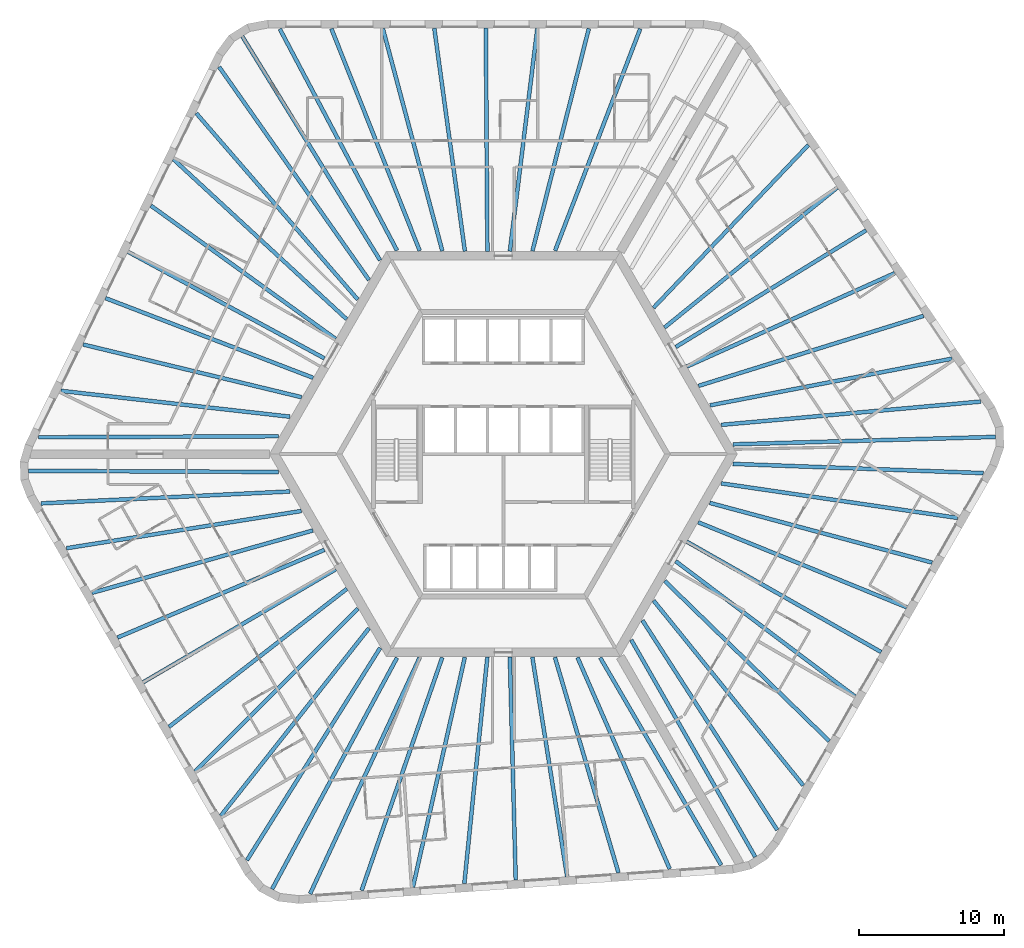
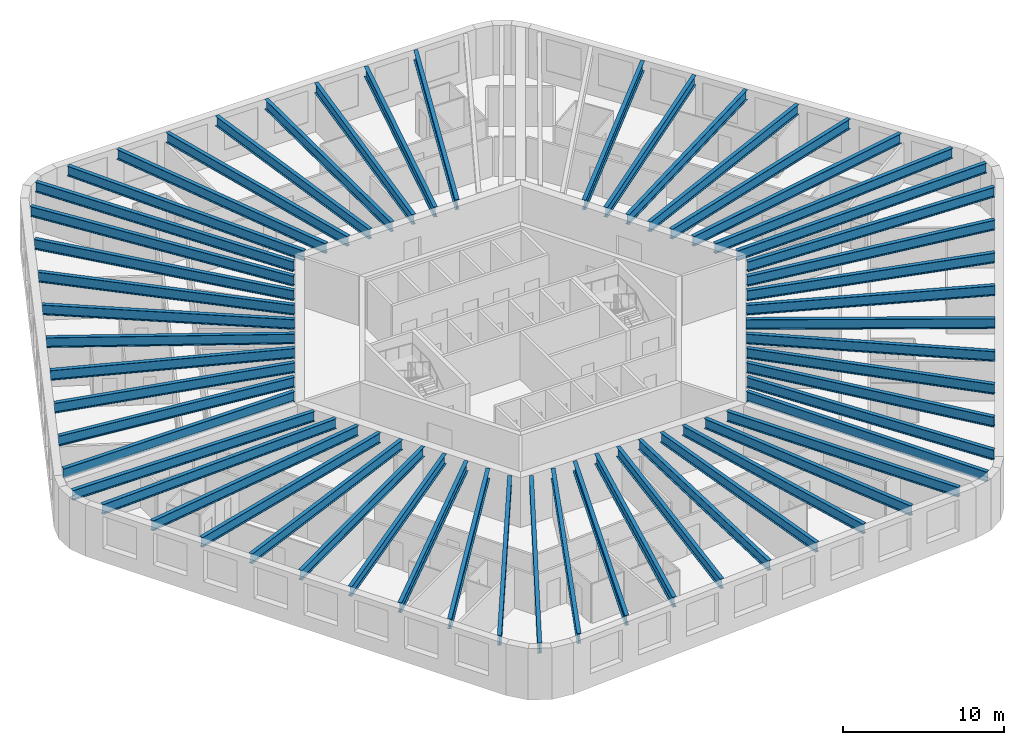
# One storey, part 1 of 12: 56 beams.
"""IFC4 building model written with IfcOpenShell, lengths in metres."""

from ifc_helpers import new_model, si_unit, direction, frame, origin, origin_2d, place, context, subcontext, project, spatial, i_section, extrude, material, material_profile, profile_set, type_object, element, save


model = new_model("IFC4")

# Units and contexts
model_context = context("Model", 3, precision=1e-05, world=origin(), true_north=direction((0.0, 1.0)))
body_context = subcontext(model_context, "Body", "Model", "MODEL_VIEW")
ifc_project = project(units=[si_unit("LENGTHUNIT", "METRE"), si_unit("AREAUNIT", "SQUARE_METRE"), si_unit("VOLUMEUNIT", "CUBIC_METRE"), si_unit("PLANEANGLEUNIT", "RADIAN"), si_unit("MASSUNIT", "GRAM", prefix="KILO")], contexts=[model_context])

# Site, building, storey
site_placement = place(None, origin())
site = spatial("IfcSite", under=ifc_project, at=site_placement, CompositionType="ELEMENT")
building_placement = place(site_placement, origin())
building = spatial("IfcBuilding", under=site, at=building_placement, Name="Tarnside Tower", CompositionType="ELEMENT")
storey_placement = place(building_placement, frame((0.0, 0.0, 84.300048828125)))
storey = spatial("IfcBuildingStorey", under=building, at=storey_placement, Name="L18", CompositionType="ELEMENT", Elevation=84.300048828125)

# Beams
ifc_material = material(Name="Steel S355", Category="steel")
ifc_material_profile_1 = material_profile(ifc_material, i_section(OverallWidth=0.26513671875, OverallDepth=0.75390625, WebThickness=0.0126953125, FlangeThickness=0.017578125, FilletRadius=0.0166015625, at=origin_2d()), Name="UB 762x267x147")
ifc_profile_set_1 = profile_set([ifc_material_profile_1], Name="Steel S355")
beam_type_1 = type_object("IfcBeamType", Name="Floor beam UB 762x267x147", PredefinedType="BEAM", material=ifc_profile_set_1)
beam_1_placement = place(storey_placement, frame((2.3525390625, 29.43017578125, 3.373046875), z_axis=(-0.122329629165, -0.992489527314, 0.0), x_axis=(0.992489527314, -0.122329629165, 0.0)))
element("IfcBeam", 1, at=beam_1_placement, inside=storey, type_object=beam_type_1, Name="Floor beam F1.04", PredefinedType="BEAM", context=body_context, shape_type="SweptSolid", body=[
    extrude(i_section(OverallWidth=0.26513671875, OverallDepth=0.75390625, WebThickness=0.0126953125, FlangeThickness=0.017578125, FilletRadius=0.0166015625, at=origin_2d()), origin(), (0.0, 0.0, 1.0), 15.527099609375),
])
beam_2_placement = place(storey_placement, frame((-1.208984375, 29.449951171875, 3.373046875), z_axis=(0.007000128723, -0.999975498799, 0.0), x_axis=(0.999975498799, 0.007000128723, 0.0)))
element("IfcBeam", 2, at=beam_2_placement, inside=storey, type_object=beam_type_1, Name="Floor beam F1.05", PredefinedType="BEAM", context=body_context, shape_type="SweptSolid", body=[
    extrude(i_section(OverallWidth=0.26513671875, OverallDepth=0.75390625, WebThickness=0.0126953125, FlangeThickness=0.017578125, FilletRadius=0.0166015625, at=origin_2d()), origin(), (0.0, 0.0, 1.0), 15.450439453125),
])
beam_3_placement = place(storey_placement, frame((-4.7705078125, 29.43017578125, 3.373046875), z_axis=(0.136000560933, -0.990708760144, 0.0), x_axis=(0.990708760144, 0.136000560933, 0.0)))
element("IfcBeam", 3, at=beam_3_placement, inside=storey, type_object=beam_type_1, Name="Floor beam F1.06", PredefinedType="BEAM", context=body_context, shape_type="SweptSolid", body=[
    extrude(i_section(OverallWidth=0.26513671875, OverallDepth=0.75390625, WebThickness=0.0126953125, FlangeThickness=0.017578125, FilletRadius=0.0166015625, at=origin_2d()), origin(), (0.0, 0.0, 1.0), 15.554931640625),
])
beam_4_placement = place(storey_placement, frame((-24.348876953125, 17.168212890625, 3.373046875), z_axis=(0.811027744825, -0.585007689799, 0.0), x_axis=(0.585007689799, 0.811027744825, 0.0)))
element("IfcBeam", 4, at=beam_4_placement, inside=storey, type_object=beam_type_1, Name="Floor beam F2.04", PredefinedType="BEAM", context=body_context, shape_type="SweptSolid", body=[
    extrude(i_section(OverallWidth=0.26513671875, OverallDepth=0.75390625, WebThickness=0.0126953125, FlangeThickness=0.017578125, FilletRadius=0.0166015625, at=origin_2d()), origin(), (0.0, 0.0, 1.0), 15.731689453125),
])
beam_5_placement = place(storey_placement, frame((-25.92626953125, 13.978271484375, 3.373046875), z_axis=(0.878894567679, -0.477016078245, 0.0), x_axis=(0.477016078245, 0.878894567679, 0.0)))
element("IfcBeam", 5, at=beam_5_placement, inside=storey, type_object=beam_type_1, Name="Floor beam F2.05", PredefinedType="BEAM", context=body_context, shape_type="SweptSolid", body=[
    extrude(i_section(OverallWidth=0.26513671875, OverallDepth=0.75390625, WebThickness=0.0126953125, FlangeThickness=0.017578125, FilletRadius=0.0166015625, at=origin_2d()), origin(), (0.0, 0.0, 1.0), 15.427490234375),
])
beam_6_placement = place(storey_placement, frame((-27.487548828125, 10.77734375, 3.373046875), z_axis=(0.933617702452, -0.358270827264, 0.0), x_axis=(0.358270827264, 0.933617702452, 0.0)))
element("IfcBeam", 6, at=beam_6_placement, inside=storey, type_object=beam_type_1, Name="Floor beam F2.06", PredefinedType="BEAM", context=body_context, shape_type="SweptSolid", body=[
    extrude(i_section(OverallWidth=0.26513671875, OverallDepth=0.75390625, WebThickness=0.0126953125, FlangeThickness=0.017578125, FilletRadius=0.0166015625, at=origin_2d()), origin(), (0.0, 0.0, 1.0), 15.363037109375),
])
beam_7_placement = place(storey_placement, frame((-29.029296875, 7.572509765625, 3.373046875), z_axis=(0.972101750991, -0.234559556873, 0.0), x_axis=(0.234559556873, 0.972101750991, 0.0)))
element("IfcBeam", 7, at=beam_7_placement, inside=storey, type_object=beam_type_1, Name="Floor beam F2.07", PredefinedType="BEAM", context=body_context, shape_type="SweptSolid", body=[
    extrude(i_section(OverallWidth=0.26513671875, OverallDepth=0.75390625, WebThickness=0.0126953125, FlangeThickness=0.017578125, FilletRadius=0.0166015625, at=origin_2d()), origin(), (0.0, 0.0, 1.0), 15.522216796875),
])
beam_8_placement = place(storey_placement, frame((-26.66357421875, -12.677734375, 3.373046875), z_axis=(0.920684021494, 0.390308765679, 0.0), x_axis=(-0.390308765679, 0.920684021494, 0.0)))
element("IfcBeam", 8, at=beam_8_placement, inside=storey, type_object=beam_type_1, Name="Floor beam F3.04", PredefinedType="BEAM", context=body_context, shape_type="SweptSolid", body=[
    extrude(i_section(OverallWidth=0.26513671875, OverallDepth=0.75390625, WebThickness=0.0126953125, FlangeThickness=0.017578125, FilletRadius=0.0166015625, at=origin_2d()), origin(), (0.0, 0.0, 1.0), 15.52685546875),
])
beam_9_placement = place(storey_placement, frame((-24.89990234375, -15.772216796875, 3.373046875), z_axis=(0.862497502004, 0.506061319443, 0.0), x_axis=(-0.506061319443, 0.862497502004, 0.0)))
element("IfcBeam", 9, at=beam_9_placement, inside=storey, type_object=beam_type_1, Name="Floor beam F3.05", PredefinedType="BEAM", context=body_context, shape_type="SweptSolid", body=[
    extrude(i_section(OverallWidth=0.26513671875, OverallDepth=0.75390625, WebThickness=0.0126953125, FlangeThickness=0.017578125, FilletRadius=0.0166015625, at=origin_2d()), origin(), (0.0, 0.0, 1.0), 15.450439453125),
])
beam_10_placement = place(storey_placement, frame((-23.10205078125, -18.846435546875, 3.373046875), z_axis=(0.789983963813, 0.613127504617, 0.0), x_axis=(-0.613127504617, 0.789983963813, 0.0)))
element("IfcBeam", 10, at=beam_10_placement, inside=storey, type_object=beam_type_1, Name="Floor beam F3.06", PredefinedType="BEAM", context=body_context, shape_type="SweptSolid", body=[
    extrude(i_section(OverallWidth=0.26513671875, OverallDepth=0.75390625, WebThickness=0.0126953125, FlangeThickness=0.017578125, FilletRadius=0.0166015625, at=origin_2d()), origin(), (0.0, 0.0, 1.0), 15.554931640625),
])
beam_11_placement = place(storey_placement, frame((-2.693603515625, -29.6708984375, 3.373046875), z_axis=(0.101123115756, 0.994873919379, 0.0), x_axis=(-0.994873919379, 0.101123115756, 0.0)))
element("IfcBeam", 11, at=beam_11_placement, inside=storey, type_object=beam_type_1, Name="Floor beam F4.04", PredefinedType="BEAM", context=body_context, shape_type="SweptSolid", body=[
    extrude(i_section(OverallWidth=0.26513671875, OverallDepth=0.75390625, WebThickness=0.0126953125, FlangeThickness=0.017578125, FilletRadius=0.0166015625, at=origin_2d()), origin(), (0.0, 0.0, 1.0), 15.7314453125),
])
beam_12_placement = place(storey_placement, frame((0.857666015625, -29.44189453125, 3.373046875), z_axis=(-0.026333316788, 0.999653218085, 0.0), x_axis=(-0.999653218085, -0.026333316788, 0.0)))
element("IfcBeam", 12, at=beam_12_placement, inside=storey, type_object=beam_type_1, Name="Floor beam F4.05", PredefinedType="BEAM", context=body_context, shape_type="SweptSolid", body=[
    extrude(i_section(OverallWidth=0.26513671875, OverallDepth=0.75390625, WebThickness=0.0126953125, FlangeThickness=0.017578125, FilletRadius=0.0166015625, at=origin_2d()), origin(), (0.0, 0.0, 1.0), 15.42724609375),
])
beam_13_placement = place(storey_placement, frame((4.41015625, -29.193603515625, 3.373046875), z_axis=(-0.156513375907, 0.98767583911, 0.0), x_axis=(-0.98767583911, -0.156513375907, 0.0)))
element("IfcBeam", 13, at=beam_13_placement, inside=storey, type_object=beam_type_1, Name="Floor beam F4.06", PredefinedType="BEAM", context=body_context, shape_type="SweptSolid", body=[
    extrude(i_section(OverallWidth=0.26513671875, OverallDepth=0.75390625, WebThickness=0.0126953125, FlangeThickness=0.017578125, FilletRadius=0.0166015625, at=origin_2d()), origin(), (0.0, 0.0, 1.0), 15.36328125),
])
beam_14_placement = place(storey_placement, frame((7.956787109375, -28.926513671875, 3.373046875), z_axis=(-0.282920694328, 0.959143305623, 0.0), x_axis=(-0.959143305623, -0.282920694328, 0.0)))
element("IfcBeam", 14, at=beam_14_placement, inside=storey, type_object=beam_type_1, Name="Floor beam F4.07", PredefinedType="BEAM", context=body_context, shape_type="SweptSolid", body=[
    extrude(i_section(OverallWidth=0.26513671875, OverallDepth=0.75390625, WebThickness=0.0126953125, FlangeThickness=0.017578125, FilletRadius=0.0166015625, at=origin_2d()), origin(), (0.0, 0.0, 1.0), 15.5224609375),
])
beam_15_placement = place(storey_placement, frame((24.31103515625, -16.75244140625, 3.373046875), z_axis=(-0.798361152727, 0.602178935049, 0.0), x_axis=(-0.602178935049, -0.798361152727, 0.0)))
element("IfcBeam", 15, at=beam_15_placement, inside=storey, type_object=beam_type_1, Name="Floor beam F5.04", PredefinedType="BEAM", context=body_context, shape_type="SweptSolid", body=[
    extrude(i_section(OverallWidth=0.26513671875, OverallDepth=0.75390625, WebThickness=0.0126953125, FlangeThickness=0.017578125, FilletRadius=0.0166015625, at=origin_2d()), origin(), (0.0, 0.0, 1.0), 15.527099609375),
])
beam_16_placement = place(storey_placement, frame((26.10888671875, -13.677978515625, 3.373046875), z_axis=(-0.869502520992, 0.493928502911, 0.0), x_axis=(-0.493928502911, -0.869502520992, 0.0)))
element("IfcBeam", 16, at=beam_16_placement, inside=storey, type_object=beam_type_1, Name="Floor beam F5.05", PredefinedType="BEAM", context=body_context, shape_type="SweptSolid", body=[
    extrude(i_section(OverallWidth=0.26513671875, OverallDepth=0.75390625, WebThickness=0.0126953125, FlangeThickness=0.017578125, FilletRadius=0.0166015625, at=origin_2d()), origin(), (0.0, 0.0, 1.0), 15.4501953125),
])
beam_17_placement = place(storey_placement, frame((27.87255859375, -10.58349609375, 3.373046875), z_axis=(-0.925981621163, 0.377568586177, 0.0), x_axis=(-0.377568586177, -0.925981621163, 0.0)))
element("IfcBeam", 17, at=beam_17_placement, inside=storey, type_object=beam_type_1, Name="Floor beam F5.06", PredefinedType="BEAM", context=body_context, shape_type="SweptSolid", body=[
    extrude(i_section(OverallWidth=0.26513671875, OverallDepth=0.75390625, WebThickness=0.0126953125, FlangeThickness=0.017578125, FilletRadius=0.0166015625, at=origin_2d()), origin(), (0.0, 0.0, 1.0), 15.554931640625),
])
beam_18_placement = place(storey_placement, frame((27.04248046875, 12.502685546875, 3.373046875), z_axis=(-0.912146413919, -0.409864513681, 0.0), x_axis=(0.409864513681, -0.912146413919, 0.0)))
element("IfcBeam", 18, at=beam_18_placement, inside=storey, type_object=beam_type_1, Name="Floor beam F6.04", PredefinedType="BEAM", context=body_context, shape_type="SweptSolid", body=[
    extrude(i_section(OverallWidth=0.26513671875, OverallDepth=0.75390625, WebThickness=0.0126953125, FlangeThickness=0.017578125, FilletRadius=0.0166015625, at=origin_2d()), origin(), (0.0, 0.0, 1.0), 15.7314453125),
])
beam_19_placement = place(storey_placement, frame((25.068603515625, 15.463623046875, 3.373046875), z_axis=(-0.852558490017, -0.522631821744, 0.0), x_axis=(0.522631821744, -0.852558490017, 0.0)))
element("IfcBeam", 19, at=beam_19_placement, inside=storey, type_object=beam_type_1, Name="Floor beam F6.05", PredefinedType="BEAM", context=body_context, shape_type="SweptSolid", body=[
    extrude(i_section(OverallWidth=0.26513671875, OverallDepth=0.75390625, WebThickness=0.0126953125, FlangeThickness=0.017578125, FilletRadius=0.0166015625, at=origin_2d()), origin(), (0.0, 0.0, 1.0), 15.42724609375),
])
beam_20_placement = place(storey_placement, frame((23.0771484375, 18.416259765625, 3.373046875), z_axis=(-0.777079423039, -0.629402550272, 0.0), x_axis=(0.629402550272, -0.777079423039, 0.0)))
element("IfcBeam", 20, at=beam_20_placement, inside=storey, type_object=beam_type_1, Name="Floor beam F6.06", PredefinedType="BEAM", context=body_context, shape_type="SweptSolid", body=[
    extrude(i_section(OverallWidth=0.26513671875, OverallDepth=0.75390625, WebThickness=0.0126953125, FlangeThickness=0.017578125, FilletRadius=0.0166015625, at=origin_2d()), origin(), (0.0, 0.0, 1.0), 15.36328125),
])
beam_21_placement = place(storey_placement, frame((21.072509765625, 21.35400390625, 3.373046875), z_axis=(-0.689174694318, -0.724595225427, 0.0), x_axis=(0.724595225427, -0.689174694318, 0.0)))
element("IfcBeam", 21, at=beam_21_placement, inside=storey, type_object=beam_type_1, Name="Floor beam F6.07", PredefinedType="BEAM", context=body_context, shape_type="SweptSolid", body=[
    extrude(i_section(OverallWidth=0.26513671875, OverallDepth=0.75390625, WebThickness=0.0126953125, FlangeThickness=0.017578125, FilletRadius=0.0166015625, at=origin_2d()), origin(), (0.0, 0.0, 1.0), 15.522216796875),
])
ifc_material_profile_2 = material_profile(ifc_material, i_section(OverallWidth=0.2666015625, OverallDepth=0.76220703125, WebThickness=0.014404296875, FlangeThickness=0.021484375, FilletRadius=0.0166015625, at=origin_2d()), Name="UB 762x267x173")
ifc_profile_set_2 = profile_set([ifc_material_profile_2], Name="Steel S355")
beam_type_2 = type_object("IfcBeamType", Name="Floor beam UB 762x267x173", PredefinedType="BEAM", material=ifc_profile_set_2)
beam_22_placement = place(storey_placement, frame((9.4619140625, 29.39404296875, 3.368896484375), z_axis=(-0.358299847269, -0.933606565662, 0.0), x_axis=(0.933606565662, -0.358299847269, 0.0)))
element("IfcBeam", 22, at=beam_22_placement, inside=storey, type_object=beam_type_2, Name="Floor beam F1.02", PredefinedType="BEAM", context=body_context, shape_type="SweptSolid", body=[
    extrude(i_section(OverallWidth=0.2666015625, OverallDepth=0.76220703125, WebThickness=0.014404296875, FlangeThickness=0.021484375, FilletRadius=0.0166015625, at=origin_2d()), origin(), (0.0, 0.0, 1.0), 16.428955078125),
])
beam_23_placement = place(storey_placement, frame((5.909423828125, 29.4111328125, 3.368896484375), z_axis=(-0.245747281389, -0.969333933013, 0.0), x_axis=(0.969333933013, -0.245747281389, 0.0)))
element("IfcBeam", 23, at=beam_23_placement, inside=storey, type_object=beam_type_2, Name="Floor beam F1.03", PredefinedType="BEAM", context=body_context, shape_type="SweptSolid", body=[
    extrude(i_section(OverallWidth=0.2666015625, OverallDepth=0.76220703125, WebThickness=0.014404296875, FlangeThickness=0.021484375, FilletRadius=0.0166015625, at=origin_2d()), origin(), (0.0, 0.0, 1.0), 15.858642578125),
])
beam_24_placement = place(storey_placement, frame((-8.3271484375, 29.411376953125, 3.368896484375), z_axis=(0.258447478572, -0.966025310652, 0.0), x_axis=(0.966025310652, 0.258447478572, 0.0)))
element("IfcBeam", 24, at=beam_24_placement, inside=storey, type_object=beam_type_2, Name="Floor beam F1.07", PredefinedType="BEAM", context=body_context, shape_type="SweptSolid", body=[
    extrude(i_section(OverallWidth=0.2666015625, OverallDepth=0.76220703125, WebThickness=0.014404296875, FlangeThickness=0.021484375, FilletRadius=0.0166015625, at=origin_2d()), origin(), (0.0, 0.0, 1.0), 15.91357421875),
])
beam_25_placement = place(storey_placement, frame((-11.87939453125, 29.394287109375, 3.368896484375), z_axis=(0.369638204477, -0.929175762593, 0.0), x_axis=(0.929175762593, 0.369638204477, 0.0)))
element("IfcBeam", 25, at=beam_25_placement, inside=storey, type_object=beam_type_2, Name="Floor beam F1.08", PredefinedType="BEAM", context=body_context, shape_type="SweptSolid", body=[
    extrude(i_section(OverallWidth=0.2666015625, OverallDepth=0.76220703125, WebThickness=0.014404296875, FlangeThickness=0.021484375, FilletRadius=0.0166015625, at=origin_2d()), origin(), (0.0, 0.0, 1.0), 16.507568359375),
])
beam_26_placement = place(storey_placement, frame((-15.44580078125, 29.37939453125, 3.368896484375), z_axis=(0.467741993634, -0.883865050441, 0.0), x_axis=(0.883865050441, 0.467741993634, 0.0)))
element("IfcBeam", 26, at=beam_26_placement, inside=storey, type_object=beam_type_2, Name="Floor beam F1.09", PredefinedType="BEAM", context=body_context, shape_type="SweptSolid", body=[
    extrude(i_section(OverallWidth=0.2666015625, OverallDepth=0.76220703125, WebThickness=0.014404296875, FlangeThickness=0.021484375, FilletRadius=0.0166015625, at=origin_2d()), origin(), (0.0, 0.0, 1.0), 17.320068359375),
])
beam_27_placement = place(storey_placement, frame((-18.042236328125, 28.8701171875, 3.368896484375), z_axis=(0.524382977035, -0.851482526771, 0.0), x_axis=(0.851482526771, 0.524382977035, 0.0)))
element("IfcBeam", 27, at=beam_27_placement, inside=storey, type_object=beam_type_2, Name="Floor beam C1", PredefinedType="BEAM", context=body_context, shape_type="SweptSolid", body=[
    extrude(i_section(OverallWidth=0.2666015625, OverallDepth=0.76220703125, WebThickness=0.014404296875, FlangeThickness=0.021484375, FilletRadius=0.0166015625, at=origin_2d()), origin(), (0.0, 0.0, 1.0), 18.1728515625),
])
beam_28_placement = place(storey_placement, frame((-19.638671875, 26.75537109375, 3.368896484375), z_axis=(0.575411427849, -0.817864101609, 0.0), x_axis=(0.817864101609, 0.575411427849, 0.0)))
element("IfcBeam", 28, at=beam_28_placement, inside=storey, type_object=beam_type_2, Name="Floor beam F2.01", PredefinedType="BEAM", context=body_context, shape_type="SweptSolid", body=[
    extrude(i_section(OverallWidth=0.2666015625, OverallDepth=0.76220703125, WebThickness=0.014404296875, FlangeThickness=0.021484375, FilletRadius=0.0166015625, at=origin_2d()), origin(), (0.0, 0.0, 1.0), 18.00048828125),
])
beam_29_placement = place(storey_placement, frame((-21.21630859375, 23.554931640625, 3.368896484375), z_axis=(0.654980748073, -0.755645564834, 0.0), x_axis=(0.755645564834, 0.654980748073, 0.0)))
element("IfcBeam", 29, at=beam_29_placement, inside=storey, type_object=beam_type_2, Name="Floor beam F2.02", PredefinedType="BEAM", context=body_context, shape_type="SweptSolid", body=[
    extrude(i_section(OverallWidth=0.2666015625, OverallDepth=0.76220703125, WebThickness=0.014404296875, FlangeThickness=0.021484375, FilletRadius=0.0166015625, at=origin_2d()), origin(), (0.0, 0.0, 1.0), 17.0302734375),
])
beam_30_placement = place(storey_placement, frame((-22.7890625, 20.368408203125, 3.368896484375), z_axis=(0.734715474517, -0.678375391288, 0.0), x_axis=(0.678375391288, 0.734715474517, 0.0)))
element("IfcBeam", 30, at=beam_30_placement, inside=storey, type_object=beam_type_2, Name="Floor beam F2.03", PredefinedType="BEAM", context=body_context, shape_type="SweptSolid", body=[
    extrude(i_section(OverallWidth=0.2666015625, OverallDepth=0.76220703125, WebThickness=0.014404296875, FlangeThickness=0.021484375, FilletRadius=0.0166015625, at=origin_2d()), origin(), (0.0, 0.0, 1.0), 16.2802734375),
])
beam_31_placement = place(storey_placement, frame((-30.570556640625, 4.372802734375, 3.368896484375), z_axis=(0.993687302776, -0.112185312326, 0.0), x_axis=(0.112185312326, 0.993687302776, 0.0)))
element("IfcBeam", 31, at=beam_31_placement, inside=storey, type_object=beam_type_2, Name="Floor beam F2.08", PredefinedType="BEAM", context=body_context, shape_type="SweptSolid", body=[
    extrude(i_section(OverallWidth=0.2666015625, OverallDepth=0.76220703125, WebThickness=0.014404296875, FlangeThickness=0.021484375, FilletRadius=0.0166015625, at=origin_2d()), origin(), (0.0, 0.0, 1.0), 15.934326171875),
])
beam_32_placement = place(storey_placement, frame((-32.119384765625, 1.162109375, 3.368896484375), z_axis=(0.999990508787, 0.004356872304, 0.0), x_axis=(-0.004356872304, 0.999990508787, 0.0)))
element("IfcBeam", 32, at=beam_32_placement, inside=storey, type_object=beam_type_2, Name="Floor beam F2.09", PredefinedType="BEAM", context=body_context, shape_type="SweptSolid", body=[
    extrude(i_section(OverallWidth=0.2666015625, OverallDepth=0.76220703125, WebThickness=0.014404296875, FlangeThickness=0.021484375, FilletRadius=0.0166015625, at=origin_2d()), origin(), (0.0, 0.0, 1.0), 16.586669921875),
])
beam_33_placement = place(storey_placement, frame((-32.80712890625, -1.1572265625, 3.368896484375), z_axis=(0.999990027056, -0.004466070929, 0.0), x_axis=(0.004466070929, 0.999990027056, 0.0)))
element("IfcBeam", 33, at=beam_33_placement, inside=storey, type_object=beam_type_2, Name="Floor beam C2", PredefinedType="BEAM", context=body_context, shape_type="SweptSolid", body=[
    extrude(i_section(OverallWidth=0.2666015625, OverallDepth=0.76220703125, WebThickness=0.014404296875, FlangeThickness=0.021484375, FilletRadius=0.0166015625, at=origin_2d()), origin(), (0.0, 0.0, 1.0), 17.2744140625),
])
beam_34_placement = place(storey_placement, frame((-31.95703125, -3.406494140625, 3.368896484375), z_axis=(0.998853818522, 0.047864905982, 0.0), x_axis=(-0.047864905982, 0.998853818522, 0.0)))
element("IfcBeam", 34, at=beam_34_placement, inside=storey, type_object=beam_type_2, Name="Floor beam F3.01", PredefinedType="BEAM", context=body_context, shape_type="SweptSolid", body=[
    extrude(i_section(OverallWidth=0.2666015625, OverallDepth=0.76220703125, WebThickness=0.014404296875, FlangeThickness=0.021484375, FilletRadius=0.0166015625, at=origin_2d()), origin(), (0.0, 0.0, 1.0), 17.2197265625),
])
beam_35_placement = place(storey_placement, frame((-30.18701171875, -6.502685546875, 3.368896484375), z_axis=(0.987678477078, 0.156496728136, 0.0), x_axis=(-0.156496728136, 0.987678477078, 0.0)))
element("IfcBeam", 35, at=beam_35_placement, inside=storey, type_object=beam_type_2, Name="Floor beam F3.02", PredefinedType="BEAM", context=body_context, shape_type="SweptSolid", body=[
    extrude(i_section(OverallWidth=0.2666015625, OverallDepth=0.76220703125, WebThickness=0.014404296875, FlangeThickness=0.021484375, FilletRadius=0.0166015625, at=origin_2d()), origin(), (0.0, 0.0, 1.0), 16.4287109375),
])
beam_36_placement = place(storey_placement, frame((-28.425537109375, -9.587890625, 3.368896484375), z_axis=(0.962342240503, 0.271840784547, 0.0), x_axis=(-0.271840784547, 0.962342240503, 0.0)))
element("IfcBeam", 36, at=beam_36_placement, inside=storey, type_object=beam_type_2, Name="Floor beam F3.03", PredefinedType="BEAM", context=body_context, shape_type="SweptSolid", body=[
    extrude(i_section(OverallWidth=0.2666015625, OverallDepth=0.76220703125, WebThickness=0.014404296875, FlangeThickness=0.021484375, FilletRadius=0.0166015625, at=origin_2d()), origin(), (0.0, 0.0, 1.0), 15.858642578125),
])
beam_37_placement = place(storey_placement, frame((-21.307373046875, -21.917236328125, 3.368896484375), z_axis=(0.707367544857, 0.706845921318, 0.0), x_axis=(-0.706845921318, 0.707367544857, 0.0)))
element("IfcBeam", 37, at=beam_37_placement, inside=storey, type_object=beam_type_2, Name="Floor beam F3.07", PredefinedType="BEAM", context=body_context, shape_type="SweptSolid", body=[
    extrude(i_section(OverallWidth=0.2666015625, OverallDepth=0.76220703125, WebThickness=0.014404296875, FlangeThickness=0.021484375, FilletRadius=0.0166015625, at=origin_2d()), origin(), (0.0, 0.0, 1.0), 15.913330078125),
])
beam_38_placement = place(storey_placement, frame((-19.516357421875, -24.985107421875, 3.368896484375), z_axis=(0.619872995007, 0.784702153725, 0.0), x_axis=(-0.784702153725, 0.619872995007, 0.0)))
element("IfcBeam", 38, at=beam_38_placement, inside=storey, type_object=beam_type_2, Name="Floor beam F3.08", PredefinedType="BEAM", context=body_context, shape_type="SweptSolid", body=[
    extrude(i_section(OverallWidth=0.2666015625, OverallDepth=0.76220703125, WebThickness=0.014404296875, FlangeThickness=0.021484375, FilletRadius=0.0166015625, at=origin_2d()), origin(), (0.0, 0.0, 1.0), 16.507568359375),
])
beam_39_placement = place(storey_placement, frame((-17.72021484375, -28.066162109375, 3.368896484375), z_axis=(0.531583085704, 0.847006152866, 0.0), x_axis=(-0.847006152866, 0.531583085704, 0.0)))
element("IfcBeam", 39, at=beam_39_placement, inside=storey, type_object=beam_type_2, Name="Floor beam F3.09", PredefinedType="BEAM", context=body_context, shape_type="SweptSolid", body=[
    extrude(i_section(OverallWidth=0.2666015625, OverallDepth=0.76220703125, WebThickness=0.014404296875, FlangeThickness=0.021484375, FilletRadius=0.0166015625, at=origin_2d()), origin(), (0.0, 0.0, 1.0), 17.320068359375),
])
beam_40_placement = place(storey_placement, frame((-15.981201171875, -30.060302734375, 3.368896484375), z_axis=(0.475208200571, 0.879873380726, 0.0), x_axis=(-0.879873380726, 0.475208200571, 0.0)))
element("IfcBeam", 40, at=beam_40_placement, inside=storey, type_object=beam_type_2, Name="Floor beam C3", PredefinedType="BEAM", context=body_context, shape_type="SweptSolid", body=[
    extrude(i_section(OverallWidth=0.2666015625, OverallDepth=0.76220703125, WebThickness=0.014404296875, FlangeThickness=0.021484375, FilletRadius=0.0166015625, at=origin_2d()), origin(), (0.0, 0.0, 1.0), 18.173095703125),
])
beam_41_placement = place(storey_placement, frame((-13.3515625, -30.38525390625, 3.368896484375), z_axis=(0.42059199668, 0.907249895193, 0.0), x_axis=(-0.907249895193, 0.42059199668, 0.0)))
element("IfcBeam", 41, at=beam_41_placement, inside=storey, type_object=beam_type_2, Name="Floor beam F4.01", PredefinedType="BEAM", context=body_context, shape_type="SweptSolid", body=[
    extrude(i_section(OverallWidth=0.2666015625, OverallDepth=0.76220703125, WebThickness=0.014404296875, FlangeThickness=0.021484375, FilletRadius=0.0166015625, at=origin_2d()), origin(), (0.0, 0.0, 1.0), 18.000244140625),
])
beam_42_placement = place(storey_placement, frame((-9.791015625, -30.151123046875, 3.368896484375), z_axis=(0.326912128872, 0.945054739153, 0.0), x_axis=(-0.945054739153, 0.326912128872, 0.0)))
element("IfcBeam", 42, at=beam_42_placement, inside=storey, type_object=beam_type_2, Name="Floor beam F4.02", PredefinedType="BEAM", context=body_context, shape_type="SweptSolid", body=[
    extrude(i_section(OverallWidth=0.2666015625, OverallDepth=0.76220703125, WebThickness=0.014404296875, FlangeThickness=0.021484375, FilletRadius=0.0166015625, at=origin_2d()), origin(), (0.0, 0.0, 1.0), 17.0302734375),
])
beam_43_placement = place(storey_placement, frame((-6.2451171875, -29.920166015625, 3.368896484375), z_axis=(0.220139818673, 0.975468328668, 0.0), x_axis=(-0.975468328668, 0.220139818673, 0.0)))
element("IfcBeam", 43, at=beam_43_placement, inside=storey, type_object=beam_type_2, Name="Floor beam F4.03", PredefinedType="BEAM", context=body_context, shape_type="SweptSolid", body=[
    extrude(i_section(OverallWidth=0.2666015625, OverallDepth=0.76220703125, WebThickness=0.014404296875, FlangeThickness=0.021484375, FilletRadius=0.0166015625, at=origin_2d()), origin(), (0.0, 0.0, 1.0), 16.280517578125),
])
beam_44_placement = place(storey_placement, frame((11.498291015625, -28.6611328125, 3.368896484375), z_axis=(-0.399695682658, 0.916647893831, 0.0), x_axis=(-0.916647893831, -0.399695682658, 0.0)))
element("IfcBeam", 44, at=beam_44_placement, inside=storey, type_object=beam_type_2, Name="Floor beam F4.08", PredefinedType="BEAM", context=body_context, shape_type="SweptSolid", body=[
    extrude(i_section(OverallWidth=0.2666015625, OverallDepth=0.76220703125, WebThickness=0.014404296875, FlangeThickness=0.021484375, FilletRadius=0.0166015625, at=origin_2d()), origin(), (0.0, 0.0, 1.0), 15.934326171875),
])
beam_45_placement = place(storey_placement, frame((15.05322265625, -28.3974609375, 3.368896484375), z_axis=(-0.503758455062, 0.86384455717, 0.0), x_axis=(-0.86384455717, -0.503758455062, 0.0)))
element("IfcBeam", 45, at=beam_45_placement, inside=storey, type_object=beam_type_2, Name="Floor beam F4.09", PredefinedType="BEAM", context=body_context, shape_type="SweptSolid", body=[
    extrude(i_section(OverallWidth=0.2666015625, OverallDepth=0.76220703125, WebThickness=0.014404296875, FlangeThickness=0.021484375, FilletRadius=0.0166015625, at=origin_2d()), origin(), (0.0, 0.0, 1.0), 16.586669921875),
])
beam_46_placement = place(storey_placement, frame((17.40576171875, -27.833251953125, 3.368896484375), z_axis=(-0.496126762138, 0.868250099851, 0.0), x_axis=(-0.868250099851, -0.496126762138, 0.0)))
element("IfcBeam", 46, at=beam_46_placement, inside=storey, type_object=beam_type_2, Name="Floor beam C4", PredefinedType="BEAM", context=body_context, shape_type="SweptSolid", body=[
    extrude(i_section(OverallWidth=0.2666015625, OverallDepth=0.76220703125, WebThickness=0.014404296875, FlangeThickness=0.021484375, FilletRadius=0.0166015625, at=origin_2d()), origin(), (0.0, 0.0, 1.0), 17.2744140625),
])
beam_47_placement = place(storey_placement, frame((18.9287109375, -25.972412109375, 3.368896484375), z_axis=(-0.540872954463, 0.841104302171, 0.0), x_axis=(-0.841104302171, -0.540872954463, 0.0)))
element("IfcBeam", 47, at=beam_47_placement, inside=storey, type_object=beam_type_2, Name="Floor beam F5.01", PredefinedType="BEAM", context=body_context, shape_type="SweptSolid", body=[
    extrude(i_section(OverallWidth=0.2666015625, OverallDepth=0.76220703125, WebThickness=0.014404296875, FlangeThickness=0.021484375, FilletRadius=0.0166015625, at=origin_2d()), origin(), (0.0, 0.0, 1.0), 17.2197265625),
])
beam_48_placement = place(storey_placement, frame((20.72509765625, -22.89111328125, 3.368896484375), z_axis=(-0.62939015525, 0.777089462336, 0.0), x_axis=(-0.777089462336, -0.62939015525, 0.0)))
element("IfcBeam", 48, at=beam_48_placement, inside=storey, type_object=beam_type_2, Name="Floor beam F5.02", PredefinedType="BEAM", context=body_context, shape_type="SweptSolid", body=[
    extrude(i_section(OverallWidth=0.2666015625, OverallDepth=0.76220703125, WebThickness=0.014404296875, FlangeThickness=0.021484375, FilletRadius=0.0166015625, at=origin_2d()), origin(), (0.0, 0.0, 1.0), 16.4287109375),
])
beam_49_placement = place(storey_placement, frame((22.51611328125, -19.8232421875, 3.368896484375), z_axis=(-0.716594696052, 0.697489814686, 0.0), x_axis=(-0.697489814686, -0.716594696052, 0.0)))
element("IfcBeam", 49, at=beam_49_placement, inside=storey, type_object=beam_type_2, Name="Floor beam F5.03", PredefinedType="BEAM", context=body_context, shape_type="SweptSolid", body=[
    extrude(i_section(OverallWidth=0.2666015625, OverallDepth=0.76220703125, WebThickness=0.014404296875, FlangeThickness=0.021484375, FilletRadius=0.0166015625, at=origin_2d()), origin(), (0.0, 0.0, 1.0), 15.858642578125),
])
beam_50_placement = place(storey_placement, frame((29.634521484375, -7.494140625, 3.368896484375), z_axis=(-0.965827851395, 0.259184415946, 0.0), x_axis=(-0.259184415946, -0.965827851395, 0.0)))
element("IfcBeam", 50, at=beam_50_placement, inside=storey, type_object=beam_type_2, Name="Floor beam F5.07", PredefinedType="BEAM", context=body_context, shape_type="SweptSolid", body=[
    extrude(i_section(OverallWidth=0.2666015625, OverallDepth=0.76220703125, WebThickness=0.014404296875, FlangeThickness=0.021484375, FilletRadius=0.0166015625, at=origin_2d()), origin(), (0.0, 0.0, 1.0), 15.913330078125),
])
beam_51_placement = place(storey_placement, frame((31.39599609375, -4.4091796875, 3.368896484375), z_axis=(-0.989507887412, 0.144478859177, 0.0), x_axis=(-0.144478859177, -0.989507887412, 0.0)))
element("IfcBeam", 51, at=beam_51_placement, inside=storey, type_object=beam_type_2, Name="Floor beam F5.08", PredefinedType="BEAM", context=body_context, shape_type="SweptSolid", body=[
    extrude(i_section(OverallWidth=0.2666015625, OverallDepth=0.76220703125, WebThickness=0.014404296875, FlangeThickness=0.021484375, FilletRadius=0.0166015625, at=origin_2d()), origin(), (0.0, 0.0, 1.0), 16.507568359375),
])
beam_52_placement = place(storey_placement, frame((33.166259765625, -1.31298828125, 3.368896484375), z_axis=(-0.999320941149, 0.036846391708, 0.0), x_axis=(-0.036846391708, -0.999320941149, 0.0)))
element("IfcBeam", 52, at=beam_52_placement, inside=storey, type_object=beam_type_2, Name="Floor beam F5.09", PredefinedType="BEAM", context=body_context, shape_type="SweptSolid", body=[
    extrude(i_section(OverallWidth=0.2666015625, OverallDepth=0.76220703125, WebThickness=0.014404296875, FlangeThickness=0.021484375, FilletRadius=0.0166015625, at=origin_2d()), origin(), (0.0, 0.0, 1.0), 17.320068359375),
])
beam_53_placement = place(storey_placement, frame((34.0234375, 1.18994140625, 3.368896484375), z_axis=(-0.999597013499, -0.028386803343, 0.0), x_axis=(0.028386803343, -0.999597013499, 0.0)))
element("IfcBeam", 53, at=beam_53_placement, inside=storey, type_object=beam_type_2, Name="Floor beam C5", PredefinedType="BEAM", context=body_context, shape_type="SweptSolid", body=[
    extrude(i_section(OverallWidth=0.2666015625, OverallDepth=0.76220703125, WebThickness=0.014404296875, FlangeThickness=0.021484375, FilletRadius=0.0166015625, at=origin_2d()), origin(), (0.0, 0.0, 1.0), 18.1728515625),
])
beam_54_placement = place(storey_placement, frame((32.990234375, 3.6298828125, 3.368896484375), z_axis=(-0.995997485142, -0.089381259731, 0.0), x_axis=(0.089381259731, -0.995997485142, 0.0)))
element("IfcBeam", 54, at=beam_54_placement, inside=storey, type_object=beam_type_2, Name="Floor beam F6.01", PredefinedType="BEAM", context=body_context, shape_type="SweptSolid", body=[
    extrude(i_section(OverallWidth=0.2666015625, OverallDepth=0.76220703125, WebThickness=0.014404296875, FlangeThickness=0.021484375, FilletRadius=0.0166015625, at=origin_2d()), origin(), (0.0, 0.0, 1.0), 18.000244140625),
])
beam_55_placement = place(storey_placement, frame((31.007080078125, 6.596435546875, 3.368896484375), z_axis=(-0.981896564922, -0.189417886679, 0.0), x_axis=(0.189417886679, -0.981896564922, 0.0)))
element("IfcBeam", 55, at=beam_55_placement, inside=storey, type_object=beam_type_2, Name="Floor beam F6.02", PredefinedType="BEAM", context=body_context, shape_type="SweptSolid", body=[
    extrude(i_section(OverallWidth=0.2666015625, OverallDepth=0.76220703125, WebThickness=0.014404296875, FlangeThickness=0.021484375, FilletRadius=0.0166015625, at=origin_2d()), origin(), (0.0, 0.0, 1.0), 17.0302734375),
])
beam_56_placement = place(storey_placement, frame((29.0341796875, 9.5517578125, 3.368896484375), z_axis=(-0.954846945108, -0.297098151152, 0.0), x_axis=(0.297098151152, -0.954846945108, 0.0)))
element("IfcBeam", 56, at=beam_56_placement, inside=storey, type_object=beam_type_2, Name="Floor beam F6.03", PredefinedType="BEAM", context=body_context, shape_type="SweptSolid", body=[
    extrude(i_section(OverallWidth=0.2666015625, OverallDepth=0.76220703125, WebThickness=0.014404296875, FlangeThickness=0.021484375, FilletRadius=0.0166015625, at=origin_2d()), origin(), (0.0, 0.0, 1.0), 16.280517578125),
])

save(model, "model.ifc")
